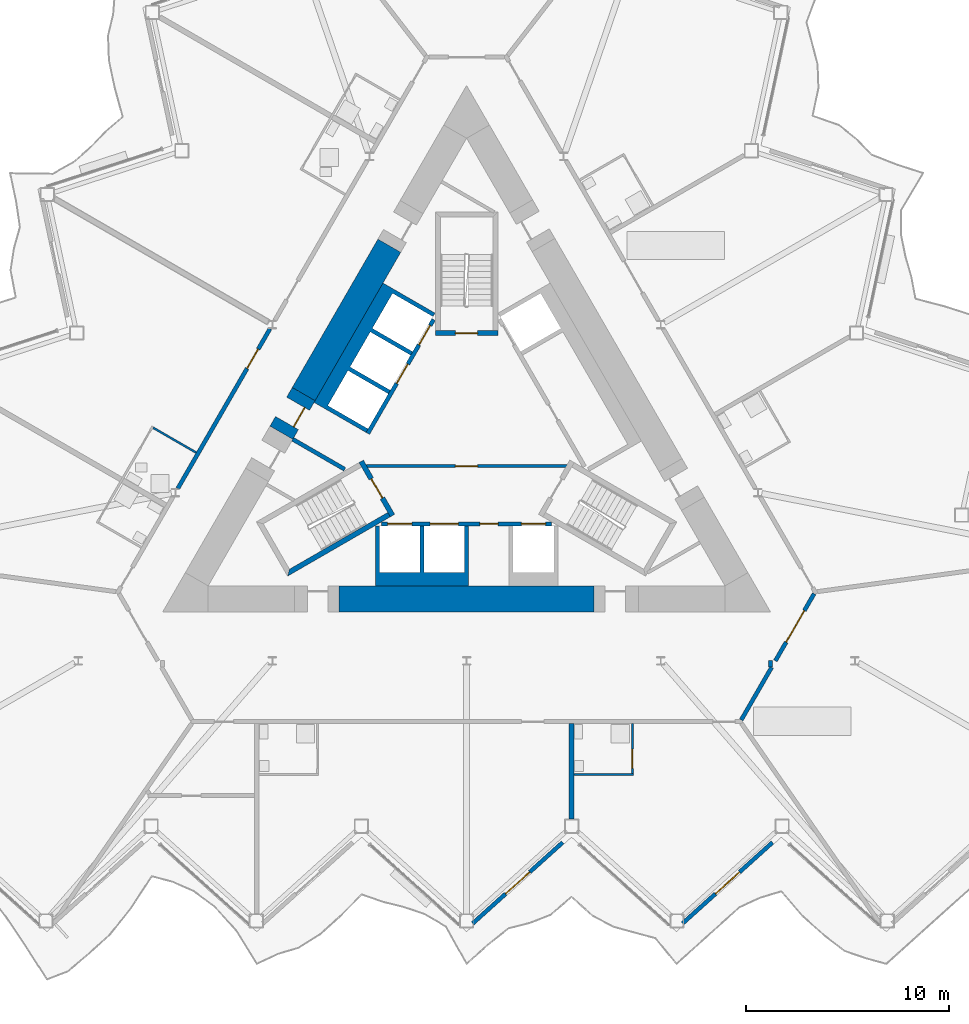
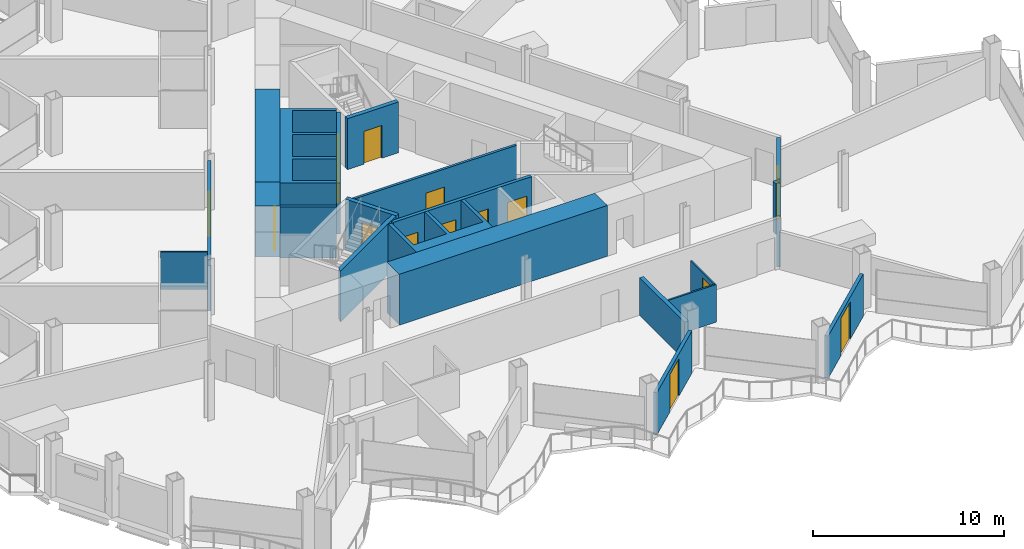
# One storey, part 12 of 23: 22 walls, 15 doors, 15 openings.
"""IFC4 building model written with IfcOpenShell, lengths in metres."""

from ifc_helpers import new_model, si_unit, direction, frame, frame_2d, origin, place, context, subcontext, project, spatial, polyline, rectangle, outline, extrude, material, layer, layer_set, type_object, element, fill, save


model = new_model("IFC4")

# Units and contexts
model_context = context("Model", 3, precision=1e-05, world=origin(), true_north=direction((0.0, 1.0)))
body_context = subcontext(model_context, "Body", "Model", "MODEL_VIEW")
ifc_project = project(units=[si_unit("LENGTHUNIT", "METRE"), si_unit("AREAUNIT", "SQUARE_METRE"), si_unit("VOLUMEUNIT", "CUBIC_METRE"), si_unit("PLANEANGLEUNIT", "RADIAN"), si_unit("MASSUNIT", "GRAM", prefix="KILO")], contexts=[model_context])

# Site, building, storey
site_placement = place(None, origin())
site = spatial("IfcSite", under=ifc_project, at=site_placement, CompositionType="ELEMENT")
building_placement = place(site_placement, origin())
building = spatial("IfcBuilding", under=site, at=building_placement, Name="Cormorant Prow Tower", CompositionType="ELEMENT")
storey_placement = place(building_placement, frame((0.0, 0.0, 249.0)))
storey = spatial("IfcBuildingStorey", under=building, at=storey_placement, Name="L55", CompositionType="ELEMENT", Elevation=249.0)

# Wall, opening, door
ifc_material_1 = material(Name="Gypsum board partition")
ifc_layer_1 = layer(ifc_material_1, 0.14990234375)
ifc_layer_set_1 = layer_set([ifc_layer_1], Name="Gypsum board partition")
wall_type_1 = type_object("IfcWallType", Name="Core partition 150", PredefinedType="PARTITIONING", material=ifc_layer_set_1)
wall_1_placement = place(storey_placement, frame((-4.941162109375, -1.449951171875, 0.0), z_axis=(0.0, 0.0, 1.0), x_axis=(1.0, 0.0, 0.0)))
wall_1 = element("IfcWall", 1, at=wall_1_placement, inside=storey, type_object=wall_type_1, Name="Firefighting lobby partition", PredefinedType="PARTITIONING", context=body_context, shape_type="SweptSolid", body=[
    extrude(rectangle(XDim=9.88232421875, YDim=0.14990234375, at=frame_2d((4.941162109375, 0.0))), origin(), (0.0, 0.0, 1.0), 3.25),
])
opening_1_placement = place(wall_1_placement, frame((4.39111328125, 0.0, 0.0)))
opening_1 = element("IfcOpeningElement", 2, at=opening_1_placement, cuts=wall_1, Name="Opening L55-C09", PredefinedType="OPENING", context=body_context, shape_type="SweptSolid", body=[
    extrude(rectangle(XDim=1.10009765625, YDim=2.10009765625, at=frame_2d((0.550048828125, 1.050048828125))), frame((0.0, 0.0849609375, 0.0), z_axis=(0.0, -1.0, 0.0), x_axis=(1.0, 0.0, 0.0)), (0.0, 0.0, 1.0), 0.169921875),
])
ifc_material_2 = material(Name="Painted steel", Category="steel")
door_type_1 = type_object("IfcDoorType", Name="Firefighting lobby door 1100x2100", OperationType="NOTDEFINED", PredefinedType="DOOR", material=ifc_material_2)
door_1_placement = place(opening_1_placement, origin())
door_1 = element("IfcDoor", 3, at=door_1_placement, inside=storey, type_object=door_type_1, Name="Firefighting lobby door", OperationType="SINGLE_SWING_LEFT", OverallHeight=2.10009765625, OverallWidth=1.10009765625, PredefinedType="DOOR", context=body_context, shape_type="SweptSolid", body=[
    extrude(rectangle(XDim=1.10009765625, YDim=2.10009765625, at=frame_2d((0.550048828125, 1.050048828125))), frame((0.0, 0.02490234375, 0.0), z_axis=(0.0, -1.0, 0.0), x_axis=(1.0, 0.0, 0.0)), (0.0, 0.0, 1.0), 0.050048828125),
])
fill(opening_1, door_1)

# Walls
ifc_material_3 = material(Name="Concrete 8000 psi", Category="concrete")
ifc_layer_2 = layer(ifc_material_3, 1.300048828125)
ifc_layer_set_2 = layer_set([ifc_layer_2], Name="Concrete 8000 psi")
wall_type_2 = type_object("IfcWallType", Name="Core shear wall 1300", PredefinedType="SHEAR", material=ifc_layer_set_2)
wall_2_placement = place(storey_placement, frame((-6.2880859375, -8.01025390625, 0.0), z_axis=(0.0, 0.0, 1.0), x_axis=(1.0, 0.0, 0.0)))
element("IfcWall", 4, at=wall_2_placement, inside=storey, type_object=wall_type_2, Name="Core wall", PredefinedType="SHEAR", context=body_context, shape_type="SweptSolid", body=[
    extrude(rectangle(XDim=12.576171875, YDim=1.300048828125, at=frame_2d((6.2880859375, 0.0))), origin(), (0.0, 0.0, 1.0), 3.25),
])
wall_3_placement = place(storey_placement, frame((-3.811767578125, 9.41845703125, 0.0), z_axis=(0.0, 0.0, 1.0), x_axis=(-0.499995037753, -0.86602826872, 0.0)))
element("IfcWall", 5, at=wall_3_placement, inside=storey, type_object=wall_type_2, Name="Core wall", PredefinedType="SHEAR", context=body_context, shape_type="SweptSolid", body=[
    extrude(rectangle(XDim=8.45068359375, YDim=1.300048828125, at=frame_2d((4.225341796875, 0.0))), origin(), (0.0, 0.0, 1.0), 3.25),
])

# Wall, opening, door
wall_4_placement = place(storey_placement, frame((-8.037109375, 2.099853515625, 0.0), z_axis=(0.0, 0.0, 1.0), x_axis=(-0.50002983664, -0.866008176907, 0.0)))
wall_4 = element("IfcWall", 6, at=wall_4_placement, inside=storey, type_object=wall_type_2, Name="Core wall door panel", PredefinedType="SHEAR", context=body_context, shape_type="SweptSolid", body=[
    extrude(rectangle(XDim=2.199951171875, YDim=1.300048828125, at=frame_2d((1.10009765625, 0.0))), origin(), (0.0, 0.0, 1.0), 3.25),
])
opening_2_placement = place(wall_4_placement, frame((0.550048828125, 0.0, 0.0)))
opening_2 = element("IfcOpeningElement", 7, at=opening_2_placement, cuts=wall_4, Name="Opening L55-C19", PredefinedType="OPENING", context=body_context, shape_type="SweptSolid", body=[
    extrude(rectangle(XDim=1.10009765625, YDim=2.10009765625, at=frame_2d((0.550048828125, 1.050048828125))), frame((0.0, 0.659912109375, 0.0), z_axis=(0.0, -1.0, 0.0), x_axis=(1.0, 0.0, 0.0)), (0.0, 0.0, 1.0), 1.320068359375),
])
ifc_material_4 = material(Name="Painted steel", Category="steel")
door_type_2 = type_object("IfcDoorType", Name="Core door 1100x2100", OperationType="NOTDEFINED", PredefinedType="DOOR", material=ifc_material_4)
door_2_placement = place(opening_2_placement, origin())
door_2 = element("IfcDoor", 8, at=door_2_placement, inside=storey, type_object=door_type_2, Name="Core door, lift lobby", OperationType="SINGLE_SWING_RIGHT", OverallHeight=2.10009765625, OverallWidth=1.10009765625, PredefinedType="DOOR", context=body_context, shape_type="SweptSolid", body=[
    extrude(rectangle(XDim=1.10009765625, YDim=2.10009765625, at=frame_2d((0.550048828125, 1.050048828125))), frame((0.0, 0.40478515625, 0.0), z_axis=(0.0, -1.0, 0.0), x_axis=(1.0, 0.0, 0.0)), (0.0, 0.0, 1.0), 0.050048828125),
])
fill(opening_2, door_2)

ifc_material_5 = material(Name="Gypsum board corridor wall")
ifc_layer_3 = layer(ifc_material_5, 0.199951171875)
ifc_layer_set_3 = layer_set([ifc_layer_3], Name="Gypsum board corridor wall")
wall_type_3 = type_object("IfcWallType", Name="Corridor wall 200", PredefinedType="PARTITIONING", material=ifc_layer_set_3)
wall_5_placement = place(storey_placement, frame((-14.24658203125, -2.5556640625, 0.0), z_axis=(0.0, 0.0, 1.0), x_axis=(0.49998193945, 0.866035830797, 0.0)))
wall_5 = element("IfcWall", 9, at=wall_5_placement, inside=storey, type_object=wall_type_3, Name="Corridor wall", PredefinedType="PARTITIONING", context=body_context, shape_type="SweptSolid", body=[
    extrude(rectangle(XDim=9.094482421875, YDim=0.199951171875, at=frame_2d((4.54736328125, 0.0))), origin(), (0.0, 0.0, 1.0), 3.25),
])
opening_3_placement = place(wall_5_placement, frame((6.833251953125, 0.0, 0.0)))
opening_3 = element("IfcOpeningElement", 10, at=opening_3_placement, cuts=wall_5, Name="Opening L55-F18", PredefinedType="OPENING", context=body_context, shape_type="SweptSolid", body=[
    extrude(rectangle(XDim=1.10009765625, YDim=2.10009765625, at=frame_2d((0.550048828125, 1.050048828125))), frame((0.0, 0.10986328125, 0.0), z_axis=(0.0, -1.0, 0.0), x_axis=(1.0, 0.0, 0.0)), (0.0, 0.0, 1.0), 0.219970703125),
])
ifc_material_6 = material(Name="Timber door leaf", Category="wood")
door_type_3 = type_object("IfcDoorType", Name="Suite entrance door 1100x2100", OperationType="NOTDEFINED", PredefinedType="DOOR", material=ifc_material_6)
door_3_placement = place(opening_3_placement, origin())
door_3 = element("IfcDoor", 11, at=door_3_placement, inside=storey, type_object=door_type_3, Name="Junior suite door", OperationType="SINGLE_SWING_RIGHT", OverallHeight=2.10009765625, OverallWidth=1.10009765625, PredefinedType="DOOR", context=body_context, shape_type="SweptSolid", body=[
    extrude(rectangle(XDim=1.10009765625, YDim=2.10009765625, at=frame_2d((0.550048828125, 1.050048828125))), frame((0.0, 0.02490234375, 0.0), z_axis=(0.0, -1.0, 0.0), x_axis=(1.0, 0.0, 0.0)), (0.0, 0.0, 1.0), 0.050048828125),
])
fill(opening_3, door_3)

wall_6_placement = place(storey_placement, frame((15.23095703125, -11.060302734375, 0.0), z_axis=(0.0, 0.0, 1.0), x_axis=(0.499961815444, 0.866047448526, 0.0)))
wall_6 = element("IfcWall", 12, at=wall_6_placement, inside=storey, type_object=wall_type_3, Name="Corridor wall", PredefinedType="PARTITIONING", context=body_context, shape_type="SweptSolid", body=[
    extrude(rectangle(XDim=3.825927734375, YDim=0.199951171875, at=frame_2d((1.9130859375, 0.0))), origin(), (0.0, 0.0, 1.0), 3.25),
])
opening_4_placement = place(wall_6_placement, frame((1.06396484375, 0.0, 0.0)))
opening_4 = element("IfcOpeningElement", 13, at=opening_4_placement, cuts=wall_6, Name="Opening L55-F07", PredefinedType="OPENING", context=body_context, shape_type="SweptSolid", body=[
    extrude(rectangle(XDim=1.800048828125, YDim=2.10009765625, at=frame_2d((0.89990234375, 1.050048828125))), frame((0.0, 0.10986328125, 0.0), z_axis=(0.0, -1.0, 0.0), x_axis=(1.0, 0.0, 0.0)), (0.0, 0.0, 1.0), 0.219970703125),
])
ifc_material_7 = material(Name="Timber door leaf", Category="wood")
door_type_4 = type_object("IfcDoorType", Name="Double door 1800x2100", OperationType="DOUBLE_DOOR_SINGLE_SWING", PredefinedType="DOOR", material=ifc_material_7)
door_4_placement = place(opening_4_placement, origin())
door_4 = element("IfcDoor", 14, at=door_4_placement, inside=storey, type_object=door_type_4, Name="Co-working space door", OperationType="DOUBLE_DOOR_SINGLE_SWING", OverallHeight=2.10009765625, OverallWidth=1.800048828125, PredefinedType="DOOR", context=body_context, shape_type="SweptSolid", body=[
    extrude(rectangle(XDim=1.800048828125, YDim=2.10009765625, at=frame_2d((0.89990234375, 1.050048828125))), frame((0.0, 0.02490234375, 0.0), z_axis=(0.0, -1.0, 0.0), x_axis=(1.0, 0.0, 0.0)), (0.0, 0.0, 1.0), 0.050048828125),
])
fill(opening_4, door_4)

# Walls
wall_7_placement = place(storey_placement, frame((13.548828125, -13.9736328125, 0.0), z_axis=(0.0, 0.0, 1.0), x_axis=(0.500048608389, 0.865997337899, 0.0)))
element("IfcWall", 15, at=wall_7_placement, inside=storey, type_object=wall_type_3, Name="Corridor wall", PredefinedType="PARTITIONING", context=body_context, shape_type="SweptSolid", body=[
    extrude(rectangle(XDim=3.002197265625, YDim=0.199951171875, at=frame_2d((1.5009765625, 0.0))), origin(), (0.0, 0.0, 1.0), 3.25),
])
wall_8_placement = place(storey_placement, frame((15.0, -11.3603515625, 0.0), z_axis=(0.0, 0.0, 1.0), x_axis=(0.0, 1.0, 0.0)))
element("IfcWall", 16, at=wall_8_placement, inside=storey, type_object=wall_type_3, Name="Corridor wall", PredefinedType="PARTITIONING", context=body_context, shape_type="SweptSolid", body=[
    extrude(rectangle(XDim=0.31005859375, YDim=0.199951171875, at=frame_2d((0.155029296875, 0.0))), origin(), (0.0, 0.0, 1.0), 3.25),
])
ifc_material_8 = material(Name="Gypsum board partition")
ifc_layer_4 = layer(ifc_material_8, 0.10009765625)
ifc_layer_set_4 = layer_set([ifc_layer_4], Name="Gypsum board partition")
wall_type_4 = type_object("IfcWallType", Name="Internal partition 100", PredefinedType="PARTITIONING", material=ifc_layer_set_4)
wall_9_placement = place(storey_placement, frame((5.30078125, -16.660400390625, 0.0), z_axis=(0.0, 0.0, 1.0), x_axis=(1.0, 0.0, 0.0)))
element("IfcWall", 17, at=wall_9_placement, inside=storey, type_object=wall_type_4, Name="Internal partition", PredefinedType="PARTITIONING", context=body_context, shape_type="SweptSolid", body=[
    extrude(rectangle(XDim=2.9248046875, YDim=0.10009765625, at=frame_2d((1.46240234375, 0.0))), origin(), (0.0, 0.0, 1.0), 2.404296875),
])
wall_10_placement = place(storey_placement, frame((-15.46240234375, 0.438720703125, 0.0), z_axis=(0.0, 0.0, 1.0), x_axis=(0.865989751695, -0.500061746146, 0.0)))
element("IfcWall", 18, at=wall_10_placement, inside=storey, type_object=wall_type_4, Name="Internal partition", PredefinedType="PARTITIONING", context=body_context, shape_type="SweptSolid", body=[
    extrude(rectangle(XDim=2.449951171875, YDim=0.10009765625, at=frame_2d((1.22509765625, 0.0))), origin(), (0.0, 0.0, 1.0), 2.404296875),
])

# Wall, opening, door
wall_11_placement = place(storey_placement, frame((8.17578125, -16.6103515625, 0.0), z_axis=(0.0, 0.0, 1.0), x_axis=(0.0, 1.0, 0.0)))
wall_11 = element("IfcWall", 19, at=wall_11_placement, inside=storey, type_object=wall_type_4, Name="Internal partition", PredefinedType="PARTITIONING", context=body_context, shape_type="SweptSolid", body=[
    extrude(rectangle(XDim=2.449951171875, YDim=0.10009765625, at=frame_2d((1.22509765625, 0.0))), origin(), (0.0, 0.0, 1.0), 2.404296875),
])
opening_5_placement = place(wall_11_placement, frame((0.25, 0.0, 0.0)))
opening_5 = element("IfcOpeningElement", 20, at=opening_5_placement, cuts=wall_11, Name="Opening L55-F06", PredefinedType="OPENING", context=body_context, shape_type="SweptSolid", body=[
    extrude(rectangle(XDim=0.949951171875, YDim=2.10009765625, at=frame_2d((0.47509765625, 1.050048828125))), frame((0.0, 0.06005859375, 0.0), z_axis=(0.0, -1.0, 0.0), x_axis=(1.0, 0.0, 0.0)), (0.0, 0.0, 1.0), 0.1201171875),
])
ifc_material_9 = material(Name="Timber door leaf", Category="wood")
door_type_5 = type_object("IfcDoorType", Name="Bathroom door 950x2100", OperationType="NOTDEFINED", PredefinedType="DOOR", material=ifc_material_9)
door_5_placement = place(opening_5_placement, origin())
door_5 = element("IfcDoor", 21, at=door_5_placement, inside=storey, type_object=door_type_5, Name="Executive suite bedroom door", OperationType="SINGLE_SWING_LEFT", OverallHeight=2.10009765625, OverallWidth=0.949951171875, PredefinedType="DOOR", context=body_context, shape_type="SweptSolid", body=[
    extrude(rectangle(XDim=0.949951171875, YDim=2.10009765625, at=frame_2d((0.47509765625, 1.050048828125))), frame((0.0, 0.02490234375, 0.0), z_axis=(0.0, -1.0, 0.0), x_axis=(1.0, 0.0, 0.0)), (0.0, 0.0, 1.0), 0.050048828125),
])
fill(opening_5, door_5)

# Wall, openings, doors
ifc_material_10 = material(Name="Concrete 5000 psi", Category="concrete")
ifc_layer_5 = layer(ifc_material_10, 0.199951171875)
ifc_layer_set_5 = layer_set([ifc_layer_5], Name="Concrete 5000 psi")
wall_type_5 = type_object("IfcWallType", Name="Lift lobby wall 200", PredefinedType="SOLIDWALL", material=ifc_layer_set_5)
wall_12_placement = place(storey_placement, frame((-4.1865234375, -4.300048828125, 0.0), z_axis=(0.0, 0.0, 1.0), x_axis=(1.0, 0.0, 0.0)))
wall_12 = element("IfcWall", 22, at=wall_12_placement, inside=storey, type_object=wall_type_5, Name="Lift lobby wall, S block", PredefinedType="SOLIDWALL", context=body_context, shape_type="SweptSolid", body=[
    extrude(rectangle(XDim=8.373046875, YDim=0.199951171875, at=frame_2d((4.1865234375, 0.0))), origin(), (0.0, 0.0, 1.0), 3.25),
])
opening_6_placement = place(wall_12_placement, frame((0.28662109375, 0.0, 0.0)))
opening_6 = element("IfcOpeningElement", 23, at=opening_6_placement, cuts=wall_12, Name="Opening L55-C01", PredefinedType="OPENING", context=body_context, shape_type="SweptSolid", body=[
    extrude(rectangle(XDim=1.199951171875, YDim=2.10009765625, at=frame_2d((0.60009765625, 1.050048828125))), frame((0.0, 0.10986328125, 0.0), z_axis=(0.0, -1.0, 0.0), x_axis=(1.0, 0.0, 0.0)), (0.0, 0.0, 1.0), 0.219970703125),
])
opening_7_placement = place(wall_12_placement, frame((2.38671875, 0.0, 0.0)))
opening_7 = element("IfcOpeningElement", 24, at=opening_7_placement, cuts=wall_12, Name="Opening L55-C02", PredefinedType="OPENING", context=body_context, shape_type="SweptSolid", body=[
    extrude(rectangle(XDim=1.39990234375, YDim=2.10009765625, at=frame_2d((0.699951171875, 1.050048828125))), frame((0.0, 0.10986328125, 0.0), z_axis=(0.0, -1.0, 0.0), x_axis=(1.0, 0.0, 0.0)), (0.0, 0.0, 1.0), 0.219970703125),
])
opening_8_placement = place(wall_12_placement, frame((4.836669921875, 0.0, 0.0)))
opening_8 = element("IfcOpeningElement", 25, at=opening_8_placement, cuts=wall_12, Name="Opening L55-C03", PredefinedType="OPENING", context=body_context, shape_type="SweptSolid", body=[
    extrude(rectangle(XDim=0.89990234375, YDim=2.10009765625, at=frame_2d((0.449951171875, 1.050048828125))), frame((0.0, 0.10986328125, 0.0), z_axis=(0.0, -1.0, 0.0), x_axis=(1.0, 0.0, 0.0)), (0.0, 0.0, 1.0), 0.219970703125),
])
opening_9_placement = place(wall_12_placement, frame((6.88671875, 0.0, 0.0)))
opening_9 = element("IfcOpeningElement", 26, at=opening_9_placement, cuts=wall_12, Name="Opening L55-C04", PredefinedType="OPENING", context=body_context, shape_type="SweptSolid", body=[
    extrude(rectangle(XDim=1.199951171875, YDim=2.10009765625, at=frame_2d((0.60009765625, 1.050048828125))), frame((0.0, 0.10986328125, 0.0), z_axis=(0.0, -1.0, 0.0), x_axis=(1.0, 0.0, 0.0)), (0.0, 0.0, 1.0), 0.219970703125),
])
ifc_material_11 = material(Name="Painted steel", Category="steel")
door_type_6 = type_object("IfcDoorType", Name="Firefighting lift landing door 1200x2100", OperationType="SLIDING_TO_LEFT", PredefinedType="DOOR", material=ifc_material_11)
door_6_placement = place(opening_6_placement, origin())
door_6 = element("IfcDoor", 27, at=door_6_placement, inside=storey, type_object=door_type_6, Name="Landing door FL1", OperationType="SLIDING_TO_LEFT", OverallHeight=2.10009765625, OverallWidth=1.199951171875, PredefinedType="DOOR", context=body_context, shape_type="SweptSolid", body=[
    extrude(rectangle(XDim=1.199951171875, YDim=2.10009765625, at=frame_2d((0.60009765625, 1.050048828125))), frame((0.0, 0.02490234375, 0.0), z_axis=(0.0, -1.0, 0.0), x_axis=(1.0, 0.0, 0.0)), (0.0, 0.0, 1.0), 0.050048828125),
])
fill(opening_6, door_6)
door_7_placement = place(opening_9_placement, origin())
door_7 = element("IfcDoor", 28, at=door_7_placement, inside=storey, type_object=door_type_6, Name="Landing door FL2", OperationType="SLIDING_TO_LEFT", OverallHeight=2.10009765625, OverallWidth=1.199951171875, PredefinedType="DOOR", context=body_context, shape_type="SweptSolid", body=[
    extrude(rectangle(XDim=1.199951171875, YDim=2.10009765625, at=frame_2d((0.60009765625, 1.050048828125))), frame((0.0, 0.02490234375, 0.0), z_axis=(0.0, -1.0, 0.0), x_axis=(1.0, 0.0, 0.0)), (0.0, 0.0, 1.0), 0.050048828125),
])
fill(opening_9, door_7)
ifc_material_12 = material(Name="Painted steel", Category="steel")
door_type_7 = type_object("IfcDoorType", Name="Service door 900x2100", OperationType="NOTDEFINED", PredefinedType="DOOR", material=ifc_material_12)
door_8_placement = place(opening_8_placement, origin())
door_8 = element("IfcDoor", 29, at=door_8_placement, inside=storey, type_object=door_type_7, Name="Service door, Telecom room", OperationType="SINGLE_SWING_RIGHT", OverallHeight=2.10009765625, OverallWidth=0.89990234375, PredefinedType="DOOR", context=body_context, shape_type="SweptSolid", body=[
    extrude(rectangle(XDim=0.89990234375, YDim=2.10009765625, at=frame_2d((0.449951171875, 1.050048828125))), frame((0.0, 0.02490234375, 0.0), z_axis=(0.0, -1.0, 0.0), x_axis=(1.0, 0.0, 0.0)), (0.0, 0.0, 1.0), 0.050048828125),
])
fill(opening_8, door_8)
ifc_material_13 = material(Name="Painted steel", Category="steel")
door_type_8 = type_object("IfcDoorType", Name="Service lift landing door 1400x2100", OperationType="SLIDING_TO_LEFT", PredefinedType="DOOR", material=ifc_material_13)
door_9_placement = place(opening_7_placement, origin())
door_9 = element("IfcDoor", 30, at=door_9_placement, inside=storey, type_object=door_type_8, Name="Landing door SL1", OperationType="SLIDING_TO_LEFT", OverallHeight=2.10009765625, OverallWidth=1.39990234375, PredefinedType="DOOR", context=body_context, shape_type="SweptSolid", body=[
    extrude(rectangle(XDim=1.39990234375, YDim=2.10009765625, at=frame_2d((0.699951171875, 1.050048828125))), frame((0.0, 0.02490234375, 0.0), z_axis=(0.0, -1.0, 0.0), x_axis=(1.0, 0.0, 0.0)), (0.0, 0.0, 1.0), 0.050048828125),
])
fill(opening_7, door_9)

wall_13_placement = place(storey_placement, frame((-1.630615234375, 5.775634765625, 0.0), z_axis=(0.0, 0.0, 1.0), x_axis=(-0.499992876559, -0.866029516466, 0.0)))
wall_13 = element("IfcWall", 31, at=wall_13_placement, inside=storey, type_object=wall_type_5, Name="Lift lobby wall, WNW block", PredefinedType="SOLIDWALL", context=body_context, shape_type="SweptSolid", body=[
    extrude(rectangle(XDim=6.486328125, YDim=0.199951171875, at=frame_2d((3.2431640625, 0.0))), origin(), (0.0, 0.0, 1.0), 3.25),
])
opening_10_placement = place(wall_13_placement, frame((0.336669921875, 0.0, 0.0)))
opening_10 = element("IfcOpeningElement", 32, at=opening_10_placement, cuts=wall_13, Name="Opening L55-C07", PredefinedType="OPENING", context=body_context, shape_type="SweptSolid", body=[
    extrude(rectangle(XDim=1.10009765625, YDim=2.10009765625, at=frame_2d((0.550048828125, 1.050048828125))), frame((0.0, 0.10986328125, 0.0), z_axis=(0.0, -1.0, 0.0), x_axis=(1.0, 0.0, 0.0)), (0.0, 0.0, 1.0), 0.219970703125),
])
opening_11_placement = place(wall_13_placement, frame((2.53662109375, 0.0, 0.0)))
opening_11 = element("IfcOpeningElement", 33, at=opening_11_placement, cuts=wall_13, Name="Opening L55-C08", PredefinedType="OPENING", context=body_context, shape_type="SweptSolid", body=[
    extrude(rectangle(XDim=1.10009765625, YDim=2.10009765625, at=frame_2d((0.550048828125, 1.050048828125))), frame((0.0, 0.10986328125, 0.0), z_axis=(0.0, -1.0, 0.0), x_axis=(1.0, 0.0, 0.0)), (0.0, 0.0, 1.0), 0.219970703125),
])
ifc_material_14 = material(Name="Painted steel", Category="steel")
door_type_9 = type_object("IfcDoorType", Name="Lift landing door 1100x2100", OperationType="SLIDING_TO_LEFT", PredefinedType="DOOR", material=ifc_material_14)
door_10_placement = place(opening_10_placement, origin())
door_10 = element("IfcDoor", 34, at=door_10_placement, inside=storey, type_object=door_type_9, Name="Landing door MR2", OperationType="SLIDING_TO_LEFT", OverallHeight=2.10009765625, OverallWidth=1.10009765625, PredefinedType="DOOR", context=body_context, shape_type="SweptSolid", body=[
    extrude(rectangle(XDim=1.10009765625, YDim=2.10009765625, at=frame_2d((0.550048828125, 1.050048828125))), frame((0.0, 0.02490234375, 0.0), z_axis=(0.0, -1.0, 0.0), x_axis=(1.0, 0.0, 0.0)), (0.0, 0.0, 1.0), 0.050048828125),
])
fill(opening_10, door_10)
door_11_placement = place(opening_11_placement, origin())
door_11 = element("IfcDoor", 35, at=door_11_placement, inside=storey, type_object=door_type_9, Name="Landing door MR3", OperationType="SLIDING_TO_LEFT", OverallHeight=2.10009765625, OverallWidth=1.10009765625, PredefinedType="DOOR", context=body_context, shape_type="SweptSolid", body=[
    extrude(rectangle(XDim=1.10009765625, YDim=2.10009765625, at=frame_2d((0.550048828125, 1.050048828125))), frame((0.0, 0.02490234375, 0.0), z_axis=(0.0, -1.0, 0.0), x_axis=(1.0, 0.0, 0.0)), (0.0, 0.0, 1.0), 0.050048828125),
])
fill(opening_11, door_11)

# Walls
ifc_material_15 = material(Name="Concrete 8000 psi", Category="concrete")
ifc_layer_6 = layer(ifc_material_15, 0.199951171875)
ifc_layer_set_6 = layer_set([ifc_layer_6], Name="Concrete 8000 psi")
wall_type_6 = type_object("IfcWallType", Name="Lift shaft wall 200", PredefinedType="SHEAR", material=ifc_layer_set_6)
wall_14_placement = place(storey_placement, origin())
element("IfcWall", 36, at=wall_14_placement, inside=storey, type_object=wall_type_6, Name="Lift shaft walls, S block", PredefinedType="SHEAR", context=body_context, shape_type="SweptSolid", body=[
    extrude(outline(polyline([(0.10009765625, -7.3603515625), (-4.5, -7.3603515625), (-4.5, -4.39990234375), (-4.300048828125, -4.39990234375), (-4.300048828125, -6.699951171875), (-2.300048828125, -6.699951171875), (-2.300048828125, -4.39990234375), (-2.10009765625, -4.39990234375), (-2.10009765625, -6.699951171875), (-0.10009765625, -6.699951171875), (-0.10009765625, -4.39990234375), (0.10009765625, -4.39990234375), (0.10009765625, -7.3603515625)])), origin(), (0.0, 0.0, 1.0), 3.25),
])
wall_15_placement = place(storey_placement, origin())
element("IfcWall", 37, at=wall_15_placement, inside=storey, type_object=wall_type_6, Name="Lift shaft walls, WNW block", PredefinedType="SHEAR", context=body_context, shape_type="SweptSolid", body=[
    extrude(outline(polyline([(-7.524169921875, 1.688232421875), (-4.124267578125, 7.5771484375), (-3.730712890625, 7.35009765625), (-1.560546875, 6.09716796875), (-1.660400390625, 5.923828125), (-3.65234375, 7.073974609375), (-4.65234375, 5.341796875), (-2.660400390625, 4.19189453125), (-2.760498046875, 4.018798828125), (-4.75244140625, 5.168701171875), (-5.75244140625, 3.4365234375), (-3.760498046875, 2.28662109375), (-3.860595703125, 2.11328125), (-5.852294921875, 3.263427734375), (-6.852294921875, 1.53125), (-4.860595703125, 0.38134765625), (-4.96044921875, 0.2080078125), (-7.130859375, 1.461181640625), (-7.524169921875, 1.688232421875)])), origin(), (0.0, 0.0, 1.0), 3.25),
])
wall_16_placement = place(storey_placement, origin())
element("IfcWall", 38, at=wall_16_placement, inside=storey, type_object=wall_type_6, Name="Lift shaft walls, WNW block", PredefinedType="SHEAR", context=body_context, shape_type="SweptSolid", body=[
    extrude(outline(polyline([(-8.524169921875, -0.043701171875), (-8.130859375, -0.27099609375), (-5.96044921875, -1.52392578125), (-6.060546875, -1.697021484375), (-8.230712890625, -0.444091796875), (-8.624267578125, -0.217041015625), (-8.524169921875, -0.043701171875)])), origin(), (0.0, 0.0, 1.0), 3.25),
])
ifc_material_16 = material(Name="Concrete 8000 psi", Category="concrete")
ifc_layer_7 = layer(ifc_material_16, 0.25)
ifc_layer_set_7 = layer_set([ifc_layer_7], Name="Concrete 8000 psi")
wall_type_7 = type_object("IfcWallType", Name="Stair wall 250", PredefinedType="SHEAR", material=ifc_layer_set_7)
wall_17_placement = place(storey_placement, origin())
element("IfcWall", 39, at=wall_17_placement, inside=storey, type_object=wall_type_7, Name="Stair ST1 enclosure wall (flank)", PredefinedType="SHEAR", context=body_context, shape_type="SweptSolid", body=[
    extrude(outline(polyline([(-8.738037109375, -6.5390625), (-8.82958984375, -6.880615234375), (-3.76318359375, -3.95556640625), (-3.88818359375, -3.739013671875), (-8.738037109375, -6.5390625)])), origin(), (0.0, 0.0, 1.0), 3.25),
])

# Wall, opening, door
wall_18_placement = place(storey_placement, frame((-5.198974609375, -1.21875, 0.0), z_axis=(0.0, 0.0, 1.0), x_axis=(0.499982516597, -0.866035497597, 0.0)))
wall_18 = element("IfcWall", 40, at=wall_18_placement, inside=storey, type_object=wall_type_7, Name="Stair ST1 door wall", PredefinedType="SHEAR", context=body_context, shape_type="SweptSolid", body=[
    extrude(rectangle(XDim=3.087890625, YDim=0.25, at=frame_2d((1.5439453125, 0.0))), origin(), (0.0, 0.0, 1.0), 3.25),
])
opening_12_placement = place(wall_18_placement, frame((0.993896484375, 0.0, 0.0)))
opening_12 = element("IfcOpeningElement", 41, at=opening_12_placement, cuts=wall_18, Name="Opening L55-C10", PredefinedType="OPENING", context=body_context, shape_type="SweptSolid", body=[
    extrude(rectangle(XDim=1.10009765625, YDim=2.10009765625, at=frame_2d((0.550048828125, 1.050048828125))), frame((0.0, 0.135009765625, 0.0), z_axis=(0.0, -1.0, 0.0), x_axis=(1.0, 0.0, 0.0)), (0.0, 0.0, 1.0), 0.27001953125),
])
ifc_material_17 = material(Name="Painted steel", Category="steel")
door_type_10 = type_object("IfcDoorType", Name="Stair door 1100x2100", OperationType="NOTDEFINED", PredefinedType="DOOR", material=ifc_material_17)
door_12_placement = place(opening_12_placement, origin())
door_12 = element("IfcDoor", 42, at=door_12_placement, inside=storey, type_object=door_type_10, Name="Stair ST1 door", OperationType="SINGLE_SWING_LEFT", OverallHeight=2.10009765625, OverallWidth=1.10009765625, PredefinedType="DOOR", context=body_context, shape_type="SweptSolid", body=[
    extrude(rectangle(XDim=1.10009765625, YDim=2.10009765625, at=frame_2d((0.550048828125, 1.050048828125))), frame((0.0, 0.02490234375, 0.0), z_axis=(0.0, -1.0, 0.0), x_axis=(1.0, 0.0, 0.0)), (0.0, 0.0, 1.0), 0.050048828125),
])
fill(opening_12, door_12)

wall_19_placement = place(storey_placement, frame((1.5439453125, 5.11181640625, 0.0), z_axis=(0.0, 0.0, 1.0), x_axis=(-1.0, 0.0, 0.0)))
wall_19 = element("IfcWall", 43, at=wall_19_placement, inside=storey, type_object=wall_type_7, Name="Stair ST3 door wall", PredefinedType="SHEAR", context=body_context, shape_type="SweptSolid", body=[
    extrude(rectangle(XDim=3.087890625, YDim=0.25, at=frame_2d((1.5439453125, 0.0))), origin(), (0.0, 0.0, 1.0), 3.25),
])
opening_13_placement = place(wall_19_placement, frame((0.993896484375, 0.0, 0.0)))
opening_13 = element("IfcOpeningElement", 44, at=opening_13_placement, cuts=wall_19, Name="Opening L55-C12", PredefinedType="OPENING", context=body_context, shape_type="SweptSolid", body=[
    extrude(rectangle(XDim=1.10009765625, YDim=2.10009765625, at=frame_2d((0.550048828125, 1.050048828125))), frame((0.0, 0.135009765625, 0.0), z_axis=(0.0, -1.0, 0.0), x_axis=(1.0, 0.0, 0.0)), (0.0, 0.0, 1.0), 0.27001953125),
])
door_13_placement = place(opening_13_placement, origin())
door_13 = element("IfcDoor", 45, at=door_13_placement, inside=storey, type_object=door_type_10, Name="Stair ST3 door", OperationType="SINGLE_SWING_LEFT", OverallHeight=2.10009765625, OverallWidth=1.10009765625, PredefinedType="DOOR", context=body_context, shape_type="SweptSolid", body=[
    extrude(rectangle(XDim=1.10009765625, YDim=2.10009765625, at=frame_2d((0.550048828125, 1.050048828125))), frame((0.0, 0.02490234375, 0.0), z_axis=(0.0, -1.0, 0.0), x_axis=(1.0, 0.0, 0.0)), (0.0, 0.0, 1.0), 0.050048828125),
])
fill(opening_13, door_13)

# Wall
ifc_material_18 = material(Name="Acoustic gypsum party wall")
ifc_layer_8 = layer(ifc_material_18, 0.25)
ifc_layer_set_8 = layer_set([ifc_layer_8], Name="Acoustic gypsum party wall")
wall_type_8 = type_object("IfcWallType", Name="Suite party wall 250", PredefinedType="PARTITIONING", material=ifc_layer_set_8)
wall_20_placement = place(storey_placement, frame((5.17578125, -18.85546875, 0.0), z_axis=(0.0, 0.0, 1.0), x_axis=(0.0, 1.0, 0.0)))
element("IfcWall", 46, at=wall_20_placement, inside=storey, type_object=wall_type_8, Name="Suite party wall", PredefinedType="PARTITIONING", context=body_context, shape_type="SweptSolid", body=[
    extrude(rectangle(XDim=4.695068359375, YDim=0.25, at=frame_2d((2.34765625, 0.0))), origin(), (0.0, 0.0, 1.0), 2.404296875),
])

# Wall, opening, door
ifc_material_19 = material(Name="Terracotta", Category="masonry")
ifc_layer_9 = layer(ifc_material_19, 0.199951171875)
ifc_layer_set_9 = layer_set([ifc_layer_9], Name="Terracotta")
wall_type_9 = type_object("IfcWallType", Name="Terracotta jamb wall 200", PredefinedType="SOLIDWALL", material=ifc_layer_set_9)
wall_21_placement = place(storey_placement, frame((0.305419921875, -24.0087890625, 0.0), z_axis=(0.0, 0.0, 1.0), x_axis=(0.74315161366, 0.669123067241, 0.0)))
wall_21 = element("IfcWall", 47, at=wall_21_placement, inside=storey, type_object=wall_type_9, Name="Terracotta jamb wall S05", PredefinedType="SOLIDWALL", context=body_context, shape_type="SweptSolid", body=[
    extrude(rectangle(XDim=5.962646484375, YDim=0.199951171875, at=frame_2d((2.9814453125, 0.0))), origin(), (0.0, 0.0, 1.0), 2.700927734375),
])
opening_14_placement = place(wall_21_placement, frame((2.181396484375, 0.0, 0.0)))
opening_14 = element("IfcOpeningElement", 48, at=opening_14_placement, cuts=wall_21, Name="Opening ED55.03", PredefinedType="OPENING", context=body_context, shape_type="SweptSolid", body=[
    extrude(rectangle(XDim=1.60009765625, YDim=2.39990234375, at=frame_2d((0.800048828125, 1.199951171875))), frame((0.0, 0.10986328125, 0.0), z_axis=(0.0, -1.0, 0.0), x_axis=(1.0, 0.0, 0.0)), (0.0, 0.0, 1.0), 0.219970703125),
])
ifc_material_20 = material(Name="Aluminium 6063-T6", Category="aluminium")
door_type_11 = type_object("IfcDoorType", Name="Balcony door 1600x2400", OperationType="DOUBLE_DOOR_SINGLE_SWING", PredefinedType="DOOR", material=ifc_material_20)
door_14_placement = place(opening_14_placement, origin())
door_14 = element("IfcDoor", 49, at=door_14_placement, inside=storey, type_object=door_type_11, Name="Balcony door S05 ED55.03", OperationType="DOUBLE_DOOR_SINGLE_SWING", OverallHeight=2.39990234375, OverallWidth=1.60009765625, PredefinedType="DOOR", context=body_context, shape_type="SweptSolid", body=[
    extrude(rectangle(XDim=1.60009765625, YDim=2.39990234375, at=frame_2d((0.800048828125, 1.199951171875))), frame((0.0, 0.02490234375, 0.0), z_axis=(0.0, -1.0, 0.0), x_axis=(1.0, 0.0, 0.0)), (0.0, 0.0, 1.0), 0.050048828125),
])
fill(opening_14, door_14)

wall_22_placement = place(storey_placement, frame((10.65673828125, -24.0087890625, 0.0), z_axis=(0.0, 0.0, 1.0), x_axis=(0.74315161366, 0.669123067241, 0.0)))
wall_22 = element("IfcWall", 50, at=wall_22_placement, inside=storey, type_object=wall_type_9, Name="Terracotta jamb wall S07", PredefinedType="SOLIDWALL", context=body_context, shape_type="SweptSolid", body=[
    extrude(rectangle(XDim=5.962646484375, YDim=0.199951171875, at=frame_2d((2.9814453125, 0.0))), origin(), (0.0, 0.0, 1.0), 2.700927734375),
])
opening_15_placement = place(wall_22_placement, frame((2.181396484375, 0.0, 0.0)))
opening_15 = element("IfcOpeningElement", 51, at=opening_15_placement, cuts=wall_22, Name="Opening ED55.04", PredefinedType="OPENING", context=body_context, shape_type="SweptSolid", body=[
    extrude(rectangle(XDim=1.60009765625, YDim=2.39990234375, at=frame_2d((0.800048828125, 1.199951171875))), frame((0.0, 0.10986328125, 0.0), z_axis=(0.0, -1.0, 0.0), x_axis=(1.0, 0.0, 0.0)), (0.0, 0.0, 1.0), 0.219970703125),
])
door_15_placement = place(opening_15_placement, origin())
door_15 = element("IfcDoor", 52, at=door_15_placement, inside=storey, type_object=door_type_11, Name="Balcony door S07 ED55.04", OperationType="DOUBLE_DOOR_SINGLE_SWING", OverallHeight=2.39990234375, OverallWidth=1.60009765625, PredefinedType="DOOR", context=body_context, shape_type="SweptSolid", body=[
    extrude(rectangle(XDim=1.60009765625, YDim=2.39990234375, at=frame_2d((0.800048828125, 1.199951171875))), frame((0.0, 0.02490234375, 0.0), z_axis=(0.0, -1.0, 0.0), x_axis=(1.0, 0.0, 0.0)), (0.0, 0.0, 1.0), 0.050048828125),
])
fill(opening_15, door_15)

save(model, "model.ifc")
